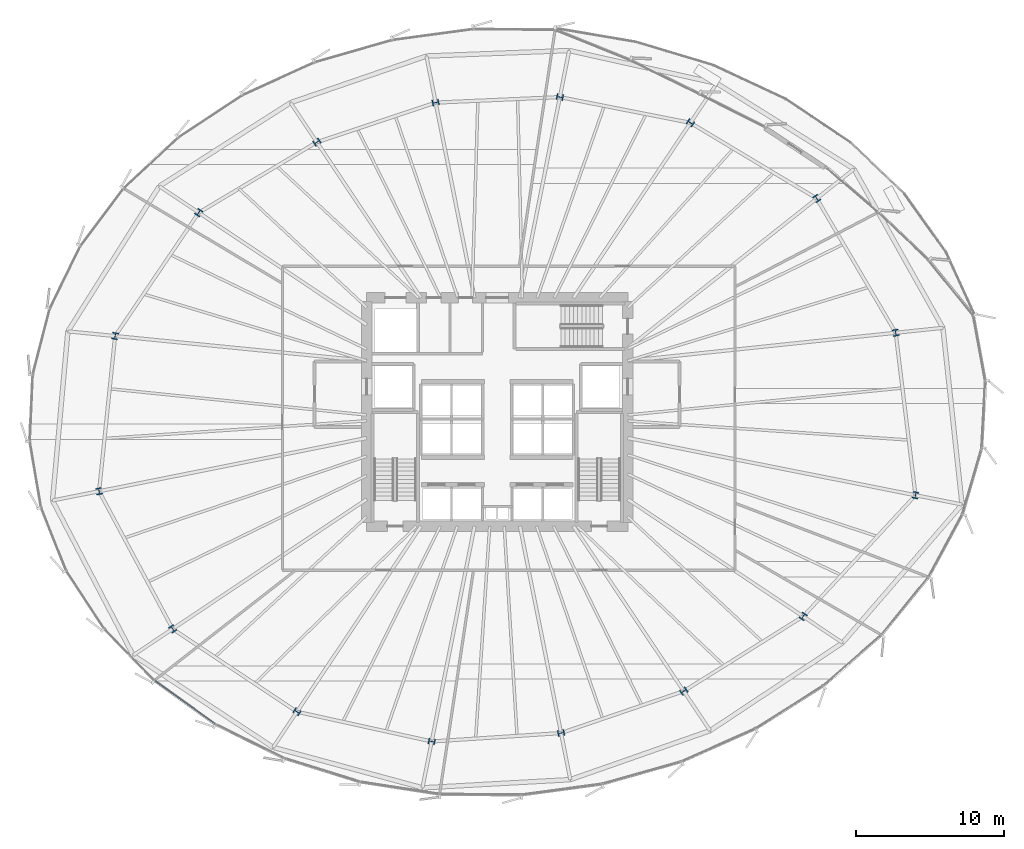
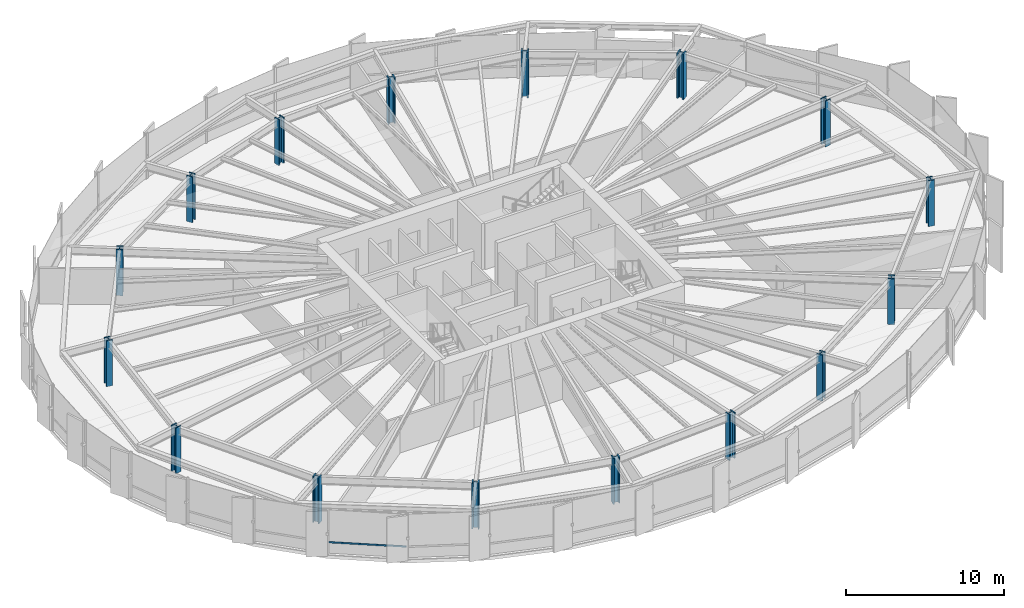
# One storey, part 1 of 39: 16 columns, 1 member, 1 element without a shape of its own.
"""IFC4 building model written with IfcOpenShell, lengths in metres."""

from ifc_helpers import new_model, si_unit, direction, frame, origin, origin_2d, place, context, subcontext, project, spatial, hollow_rectangle, i_section, extrude, source, transform, mapped, material, layer, layer_set, material_profile, profile_set, type_object, element, aggregate, save


model = new_model("IFC4")

# Units and contexts
model_context = context("Model", 3, precision=1e-05, world=origin(), true_north=direction((0.0, 1.0)))
body_context = subcontext(model_context, "Body", "Model", "MODEL_VIEW")
ifc_project = project(units=[si_unit("LENGTHUNIT", "METRE"), si_unit("AREAUNIT", "SQUARE_METRE"), si_unit("VOLUMEUNIT", "CUBIC_METRE"), si_unit("PLANEANGLEUNIT", "RADIAN"), si_unit("MASSUNIT", "GRAM", prefix="KILO"), si_unit("THERMODYNAMICTEMPERATUREUNIT", "KELVIN")], contexts=[model_context])

# Site, building, storey
site_placement = place(None, origin())
site = spatial("IfcSite", under=ifc_project, at=site_placement, CompositionType="ELEMENT")
building_placement = place(site_placement, origin())
building = spatial("IfcBuilding", under=site, at=building_placement, Name="Kethvar Cultural Tower", CompositionType="ELEMENT")
storey_placement = place(building_placement, frame((0.0, 0.0, 44.800048828125)))
storey = spatial("IfcBuildingStorey", under=building, at=storey_placement, Name="L10", CompositionType="ELEMENT", Elevation=44.800048828125)

# Columns
ifc_material_1 = material(Name="Steel S460M", Category="steel")
ifc_material_profile_1 = material_profile(ifc_material_1, i_section(OverallWidth=0.423095703125, OverallDepth=0.468994140625, WebThickness=0.051025390625, FlangeThickness=0.0810546875, FilletRadius=0.014892578125, at=origin_2d()), Name="Steel S460M — HD400x1086")
ifc_profile_set_1 = profile_set([ifc_material_profile_1], Name="Steel S460M — HD400x1086")
column_type = type_object("IfcColumnType", Name="COL-HD1086", PredefinedType="COLUMN", material=ifc_profile_set_1)
shared_shape_1 = source(origin(), body_context, "Body", "SweptSolid", [
    extrude(i_section(OverallWidth=0.423095703125, OverallDepth=0.468994140625, WebThickness=0.051025390625, FlangeThickness=0.0810546875, FilletRadius=0.014892578125, at=origin_2d()), origin(), (0.0, 0.0, 1.0), 3.550048828125),
])
for number, where, z_axis, x_axis, name in (
    (1, (73.65673828125, 33.14208984375, 0.0), (0.0, 0.0, 1.0), (0.980785280403, 0.195090322016, 0.0), "L10 Mega-Column MC-01"),
    (2, (68.33642578125, 42.190185546875, 0.0), (0.0, 0.0, 1.0), (0.831469612303, 0.55557023302, 0.0), "L10 Mega-Column MC-02"),
    (3, (59.824951171875, 47.293212890625, 0.0), (0.0, 0.0, 1.0), (0.55557023302, 0.831469612303, 0.0), "L10 Mega-Column MC-03"),
    (4, (51.022216796875, 49.02587890625, 0.0), (0.0, 0.0, 1.0), (0.195090322016, 0.980785280403, 0.0), "L10 Mega-Column MC-04"),
    (5, (42.651611328125, 48.65576171875, 0.0), (0.0, 0.0, 1.0), (-0.195090322016, 0.980785280403, 0.0), "L10 Mega-Column MC-05"),
    (6, (34.64599609375, 45.98974609375, 0.0), (0.0, 0.0, 1.0), (-0.55557023302, 0.831469612303, 0.0), "L10 Mega-Column MC-06"),
    (7, (26.6845703125, 41.24072265625, 0.0), (0.0, 0.0, 1.0), (-0.831469612303, 0.55557023302, 0.0), "L10 Mega-Column MC-07"),
    (8, (21.047119140625, 32.922607421875, 0.0), (0.0, 0.0, 1.0), (-0.980785280403, 0.195090322016, 0.0), "L10 Mega-Column MC-08"),
    (9, (19.9658203125, 22.46240234375, 0.0), (0.0, 0.0, 1.0), (-0.980785280403, -0.195090322016, 0.0), "L10 Mega-Column MC-09"),
    (10, (24.9248046875, 13.183349609375, 0.0), (0.0, 0.0, 1.0), (-0.831469612303, -0.55557023302, 0.0), "L10 Mega-Column MC-10"),
    (11, (33.302001953125, 7.598876953125, 0.0), (0.0, 0.0, 1.0), (-0.55557023302, -0.831469612303, 0.0), "L10 Mega-Column MC-11"),
    (12, (42.38330078125, 5.59619140625, 0.0), (0.0, 0.0, 1.0), (-0.195090322016, -0.980785280403, 0.0), "L10 Mega-Column MC-12"),
    (13, (51.10400390625, 6.16259765625, 0.0), (0.0, 0.0, 1.0), (0.195090322016, -0.980785280403, 0.0), "L10 Mega-Column MC-13"),
    (14, (59.370361328125, 8.987060546875, 0.0), (0.0, 0.0, 1.0), (0.55557023302, -0.831469612303, 0.0), "L10 Mega-Column MC-14"),
    (15, (67.41845703125, 14.023193359375, 0.0), (0.0, 0.0, 1.0), (0.831469612303, -0.55557023302, 0.0), "L10 Mega-Column MC-15"),
    (16, (74.9912109375, 22.1923828125, 0.0), (0.0, 0.0, 1.0), (0.980785280403, -0.195090322016, 0.0), "L10 Mega-Column MC-16"),
):
    element("IfcColumn", number, at=place(storey_placement, frame(where, z_axis=z_axis, x_axis=x_axis)), inside=storey, type_object=column_type, Name=name, PredefinedType="COLUMN", context=body_context, shape_type="MappedRepresentation", body=[
        mapped(shared_shape_1, transform((0.0, 0.0, 0.0), scale=1.0)),
    ])

# Curtain wall, member
ifc_material_2 = material(Name="Aluminium 6063-T6", Category="aluminium")
ifc_layer = layer(ifc_material_2, 0.179931640625, Name="Aluminium 6063-T6", Category="aluminium")
ifc_layer_set = layer_set([ifc_layer], Name="Aluminium 6063-T6 (180 mm)")
curtain_wall_type = type_object("IfcCurtainWallType", Name="CW-SYS-02-Z1", PredefinedType="NOTDEFINED", material=ifc_layer_set)
curtain_wall_placement = place(storey_placement, origin())
curtain_wall = element("IfcCurtainWall", 17, at=curtain_wall_placement, inside=storey, type_object=curtain_wall_type, Name="L10 Curtain Wall Run 04", PredefinedType="NOTDEFINED")
ifc_material_profile_2 = material_profile(ifc_material_2, hollow_rectangle(XDim=0.054931640625, YDim=0.1201171875, WallThickness=0.00390625, at=origin_2d()), Name="Aluminium 6063-T6 — RHS120x55x4")
ifc_profile_set_2 = profile_set([ifc_material_profile_2], Name="Aluminium 6063-T6 — RHS120x55x4")
member_type = type_object("IfcMemberType", Name="CW-SYS-02-Z1-TRN", PredefinedType="USERDEFINED", material=ifc_profile_set_2)
shared_shape_2 = source(origin(), body_context, "Body", "SweptSolid", [
    extrude(hollow_rectangle(XDim=0.054931640625, YDim=0.1201171875, WallThickness=0.00390625, at=origin_2d()), origin(), (0.0, 0.0, 1.0), 4.954345703125),
])
member_placement = place(storey_placement, frame((23.740966796875, 9.689697265625, 0.949951171875), z_axis=(0.811613781595, -0.584194376491, 0.0), x_axis=(0.584194376491, 0.811613781595, 0.0)))
member = element("IfcMember", 18, at=member_placement, type_object=member_type, Name="CW-L10-R04 Transom 6", ObjectType="TRANSOM", PredefinedType="USERDEFINED", context=body_context, shape_type="MappedRepresentation", body=[
    mapped(shared_shape_2, transform((0.0, 0.0, 0.0), scale=1.0)),
])
aggregate(curtain_wall, [member])

save(model, "model.ifc")
